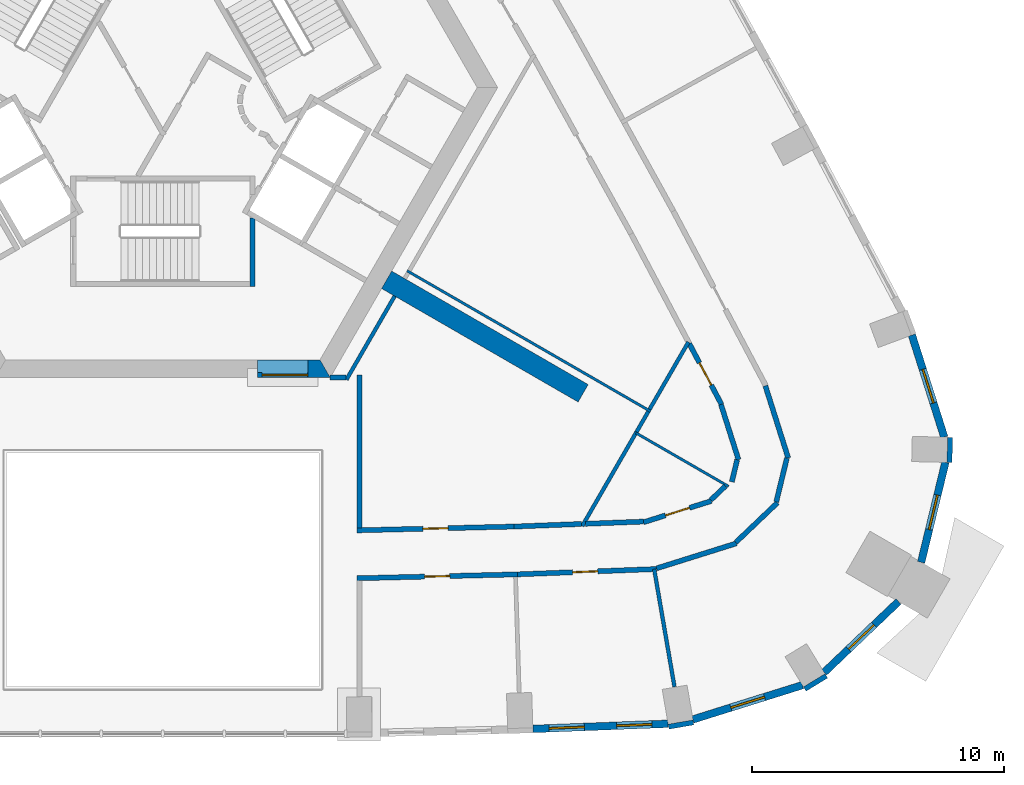
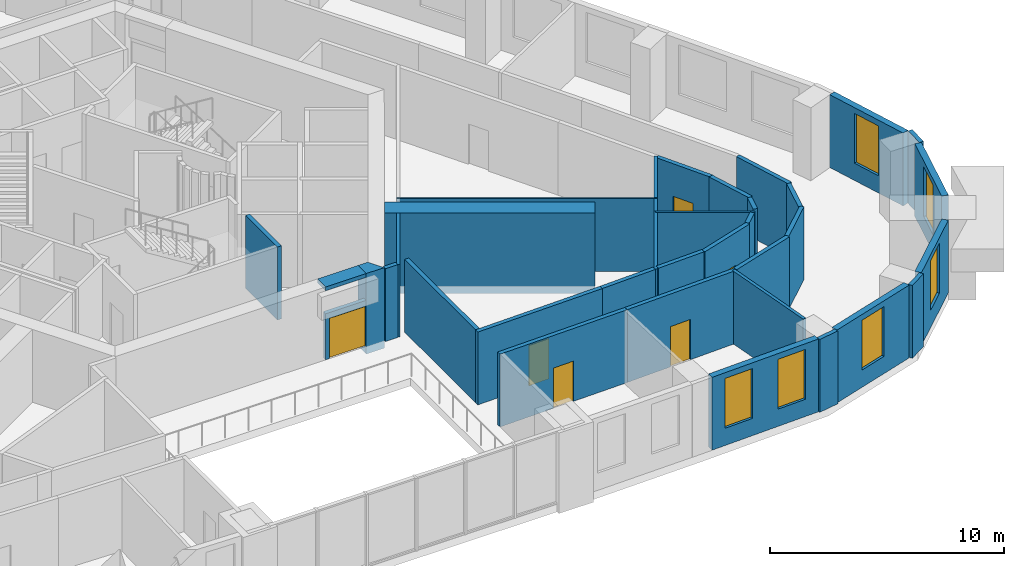
# One storey, part 6 of 13: 36 walls, 6 doors, 6 windows, 12 openings.
"""IFC4 building model written with IfcOpenShell, lengths in metres."""

from ifc_helpers import new_model, si_unit, direction, frame, frame_2d, origin, place, context, subcontext, project, spatial, polyline, rectangle, outline, extrude, material, layer, layer_set, type_object, element, fill, save


model = new_model("IFC4")

# Units and contexts
model_context = context("Model", 3, precision=1e-05, world=origin(), true_north=direction((0.0, 1.0)))
body_context = subcontext(model_context, "Body", "Model", "MODEL_VIEW")
ifc_project = project(units=[si_unit("LENGTHUNIT", "METRE"), si_unit("AREAUNIT", "SQUARE_METRE"), si_unit("VOLUMEUNIT", "CUBIC_METRE"), si_unit("PLANEANGLEUNIT", "RADIAN"), si_unit("MASSUNIT", "GRAM", prefix="KILO")], contexts=[model_context])

# Site, building, storey
site_placement = place(None, origin())
site = spatial("IfcSite", under=ifc_project, at=site_placement, CompositionType="ELEMENT")
building_placement = place(site_placement, origin())
building = spatial("IfcBuilding", under=site, at=building_placement, Name="Entoto Arch Interchange Tower", CompositionType="ELEMENT")
storey_placement = place(building_placement, frame((0.0, 0.0, 223.39990234375)))
storey = spatial("IfcBuildingStorey", under=building, at=storey_placement, Name="L50", CompositionType="ELEMENT", Elevation=223.39990234375)

# Wall
ifc_material_1 = material(Name="Concrete C50/60", Category="concrete")
ifc_layer_1 = layer(ifc_material_1, 0.800048828125)
ifc_layer_set_1 = layer_set([ifc_layer_1], Name="Concrete C50/60")
wall_type_1 = type_object("IfcWallType", Name="Buttress wall 800 C50/60", PredefinedType="SHEAR", material=ifc_layer_set_1)
wall_1_placement = place(storey_placement, frame((8.876953125, -5.125, -0.39990234375), z_axis=(0.0, 0.0, 1.0), x_axis=(0.866017533419, -0.500013631625, 0.0)))
element("IfcWall", 1, at=wall_1_placement, inside=storey, type_object=wall_type_1, Name="Buttress wall SE L50", PredefinedType="SHEAR", context=body_context, shape_type="SweptSolid", body=[
    extrude(rectangle(XDim=8.999755859375, YDim=0.800048828125, at=frame_2d((4.5, 0.0))), origin(), (0.0, 0.0, 1.0), 4.199951171875),
])

# Wall, opening, door
ifc_material_2 = material(Name="Reinforced concrete C40/50", Category="concrete")
ifc_layer_2 = layer(ifc_material_2, 0.199951171875)
ifc_layer_set_2 = layer_set([ifc_layer_2], Name="Reinforced concrete C40/50")
wall_type_2 = type_object("IfcWallType", Name="CORE GAP INFILL WALL", PredefinedType="PARTITIONING", material=ifc_layer_set_2)
wall_2_placement = place(storey_placement, frame((3.75, -8.89990234375, 0.0), z_axis=(0.0, 0.0, 1.0), x_axis=(1.0, 0.0, 0.0)))
wall_2 = element("IfcWall", 2, at=wall_2_placement, inside=storey, type_object=wall_type_2, Name="wall:L50:gap1", PredefinedType="PARTITIONING", context=body_context, shape_type="SweptSolid", body=[
    extrude(rectangle(XDim=2.0, YDim=0.199951171875, at=frame_2d((1.0, 0.0))), origin(), (0.0, 0.0, 1.0), 2.400146484375),
])
opening_1_placement = place(wall_2_placement, frame((0.18994140625, 0.0, 0.0)))
opening_1 = element("IfcOpeningElement", 3, at=opening_1_placement, cuts=wall_2, Name="Opening L50-D91", PredefinedType="OPENING", context=body_context, shape_type="SweptSolid", body=[
    extrude(rectangle(XDim=1.800048828125, YDim=2.10009765625, at=frame_2d((0.89990234375, 1.050048828125))), frame((0.0, 0.10986328125, 0.0), z_axis=(0.0, -1.0, 0.0), x_axis=(1.0, 0.0, 0.0)), (0.0, 0.0, 1.0), 0.219970703125),
])
ifc_material_3 = material(Name="Fire-rated Steel S235 door and frame", Category="steel")
door_type_1 = type_object("IfcDoorType", Name="DOOR FD-18 1800x2100", OperationType="DOUBLE_DOOR_SINGLE_SWING", PredefinedType="DOOR", material=ifc_material_3)
door_1_placement = place(opening_1_placement, origin())
door_1 = element("IfcDoor", 4, at=door_1_placement, inside=storey, type_object=door_type_1, Name="door:L50:gap1", OperationType="DOUBLE_DOOR_SINGLE_SWING", OverallHeight=2.10009765625, OverallWidth=1.800048828125, PredefinedType="DOOR", context=body_context, shape_type="SweptSolid", body=[
    extrude(rectangle(XDim=1.800048828125, YDim=2.10009765625, at=frame_2d((0.89990234375, 1.050048828125))), frame((0.0, 0.02490234375, 0.0), z_axis=(0.0, -1.0, 0.0), x_axis=(1.0, 0.0, 0.0)), (0.0, 0.0, 1.0), 0.050048828125),
])
fill(opening_1, door_1)

# Walls
ifc_layer_3 = layer(ifc_material_1, 0.699951171875)
ifc_layer_set_3 = layer_set([ifc_layer_3], Name="Concrete C50/60")
wall_type_3 = type_object("IfcWallType", Name="Core wall 700 C50/60", PredefinedType="SHEAR", material=ifc_layer_set_3)
wall_3_placement = place(storey_placement, frame((0.0, 0.0, -0.39990234375)))
element("IfcWall", 5, at=wall_3_placement, inside=storey, type_object=wall_type_3, Name="Core wall S L50", PredefinedType="SHEAR", context=body_context, shape_type="SweptSolid", body=[
    extrude(outline(polyline([(5.75, -8.300048828125), (5.75, -9.0), (6.639892578125, -9.0), (6.235107421875, -8.300048828125), (5.75, -8.300048828125)])), origin(), (0.0, 0.0, 1.0), 4.199951171875),
])
wall_4_placement = place(storey_placement, frame((0.0, 0.0, 3.60009765625)))
element("IfcWall", 6, at=wall_4_placement, inside=storey, type_object=wall_type_3, Name="Core wall lintel S L50", PredefinedType="SHEAR", context=body_context, shape_type="SweptSolid", body=[
    extrude(outline(polyline([(5.75, -9.0), (5.75, -8.300048828125), (3.75, -8.300048828125), (3.75, -9.0), (5.75, -9.0)])), origin(), (0.0, 0.0, 1.0), 0.199951171875),
])
ifc_material_4 = material(Name="Gypsum board partition on steel studs", Category="steel")
ifc_layer_4 = layer(ifc_material_4, 0.10009765625)
ifc_layer_set_4 = layer_set([ifc_layer_4], Name="Gypsum board partition on steel studs")
wall_type_4 = type_object("IfcWallType", Name="PARTITION 100", PredefinedType="PARTITIONING", material=ifc_layer_set_4)
wall_5_placement = place(storey_placement, frame((9.68896484375, -4.76806640625, 0.0), z_axis=(0.0, 0.0, 1.0), x_axis=(0.866023322577, -0.500003604739, 0.0)))
element("IfcWall", 7, at=wall_5_placement, inside=storey, type_object=wall_type_4, Name="wall:L50:p107", PredefinedType="PARTITIONING", context=body_context, shape_type="SweptSolid", body=[
    extrude(rectangle(XDim=11.14990234375, YDim=0.10009765625, at=frame_2d((5.574951171875, 0.0))), origin(), (0.0, 0.0, 1.0), 3.800048828125),
])
wall_6_placement = place(storey_placement, frame((18.764892578125, -11.198974609375, 0.0), z_axis=(0.0, 0.0, 1.0), x_axis=(0.866038964406, -0.499976511579, 0.0)))
element("IfcWall", 8, at=wall_6_placement, inside=storey, type_object=wall_type_4, Name="wall:L50:p111", PredefinedType="PARTITIONING", context=body_context, shape_type="SweptSolid", body=[
    extrude(rectangle(XDim=4.242431640625, YDim=0.10009765625, at=frame_2d((2.12109375, 0.0))), origin(), (0.0, 0.0, 1.0), 3.800048828125),
])
ifc_layer_5 = layer(ifc_material_4, 0.14990234375)
ifc_layer_set_5 = layer_set([ifc_layer_5], Name="Gypsum board partition on steel studs")
wall_type_5 = type_object("IfcWallType", Name="PARTITION 150", PredefinedType="PARTITIONING", material=ifc_layer_set_5)
wall_7_placement = place(storey_placement, frame((7.282958984375, -9.0859375, 0.0), z_axis=(0.0, 0.0, 1.0), x_axis=(0.500035303972, 0.866005020067, 0.0)))
element("IfcWall", 9, at=wall_7_placement, inside=storey, type_object=wall_type_5, Name="wall:L50:p087", PredefinedType="PARTITIONING", context=body_context, shape_type="SweptSolid", body=[
    extrude(rectangle(XDim=3.827880859375, YDim=0.14990234375, at=frame_2d((1.9140625, 0.0))), origin(), (0.0, 0.0, 1.0), 3.800048828125),
])
wall_8_placement = place(storey_placement, frame((18.7890625, -11.156005859375, 0.0), z_axis=(0.0, 0.0, 1.0), x_axis=(-0.499822078765, -0.866128102292, 0.0)))
element("IfcWall", 10, at=wall_8_placement, inside=storey, type_object=wall_type_5, Name="wall:L50:p108", PredefinedType="PARTITIONING", context=body_context, shape_type="SweptSolid", body=[
    extrude(rectangle(XDim=4.3134765625, YDim=0.14990234375, at=frame_2d((2.15673828125, 0.0))), origin(), (0.0, 0.0, 1.0), 3.800048828125),
])
wall_9_placement = place(storey_placement, frame((19.2548828125, -10.34912109375, 0.0), z_axis=(0.0, 0.0, 1.0), x_axis=(-0.499185199876, -0.866495318063, 0.0)))
element("IfcWall", 11, at=wall_9_placement, inside=storey, type_object=wall_type_5, Name="wall:L50:p109", PredefinedType="PARTITIONING", context=body_context, shape_type="SweptSolid", body=[
    extrude(rectangle(XDim=0.93115234375, YDim=0.14990234375, at=frame_2d((0.465576171875, 0.0))), origin(), (0.0, 0.0, 1.0), 3.800048828125),
])
wall_10_placement = place(storey_placement, frame((20.846923828125, -7.593017578125, 0.0), z_axis=(0.0, 0.0, 1.0), x_axis=(-0.500261762561, -0.865874222343, 0.0)))
element("IfcWall", 12, at=wall_10_placement, inside=storey, type_object=wall_type_5, Name="wall:L50:p110", PredefinedType="PARTITIONING", context=body_context, shape_type="SweptSolid", body=[
    extrude(rectangle(XDim=3.082275390625, YDim=0.14990234375, at=frame_2d((1.541015625, 0.0))), origin(), (0.0, 0.0, 1.0), 3.800048828125),
])
wall_11_placement = place(storey_placement, frame((19.488037109375, -16.59912109375, 0.0), z_axis=(0.0, 0.0, 1.0), x_axis=(0.169963884325, -0.985450292011, 0.0)))
element("IfcWall", 13, at=wall_11_placement, inside=storey, type_object=wall_type_5, Name="wall:L50:p118", PredefinedType="PARTITIONING", context=body_context, shape_type="SweptSolid", body=[
    extrude(rectangle(XDim=4.73583984375, YDim=0.14990234375, at=frame_2d((2.367919921875, 0.0))), origin(), (0.0, 0.0, 1.0), 3.800048828125),
])

# Wall, opening, door
ifc_layer_6 = layer(ifc_material_4, 0.199951171875)
ifc_layer_set_6 = layer_set([ifc_layer_6], Name="Gypsum board partition on steel studs")
wall_type_6 = type_object("IfcWallType", Name="PARTITION 200", PredefinedType="PARTITIONING", material=ifc_layer_set_6)
wall_12_placement = place(storey_placement, frame((7.699951171875, -15.06103515625, 0.0), z_axis=(0.0, 0.0, 1.0), x_axis=(0.999709615165, 0.024097413707, 0.0)))
wall_12 = element("IfcWall", 14, at=wall_12_placement, inside=storey, type_object=wall_type_6, Name="wall:L50:p014", PredefinedType="PARTITIONING", context=body_context, shape_type="SweptSolid", body=[
    extrude(rectangle(XDim=6.230712890625, YDim=0.199951171875, at=frame_2d((3.115234375, 0.0))), origin(), (0.0, 0.0, 1.0), 3.800048828125),
])
opening_2_placement = place(wall_12_placement, frame((2.614990234375, 0.0, 0.0)))
opening_2 = element("IfcOpeningElement", 15, at=opening_2_placement, cuts=wall_12, Name="Opening L50-D16", PredefinedType="OPENING", context=body_context, shape_type="SweptSolid", body=[
    extrude(rectangle(XDim=1.0, YDim=2.10009765625, at=frame_2d((0.5, 1.050048828125))), frame((0.0, 0.10986328125, 0.0), z_axis=(0.0, -1.0, 0.0), x_axis=(1.0, 0.0, 0.0)), (0.0, 0.0, 1.0), 0.219970703125),
])
ifc_material_5 = material(Name="Timber door leaf in Steel S235 frame", Category="steel")
door_type_2 = type_object("IfcDoorType", Name="DOOR DS-10 1000x2100", OperationType="SINGLE_SWING_LEFT", PredefinedType="DOOR", material=ifc_material_5)
door_2_placement = place(opening_2_placement, origin())
door_2 = element("IfcDoor", 16, at=door_2_placement, inside=storey, type_object=door_type_2, Name="door:L50:16", OperationType="SINGLE_SWING_LEFT", OverallHeight=2.10009765625, OverallWidth=1.0, PredefinedType="DOOR", context=body_context, shape_type="SweptSolid", body=[
    extrude(rectangle(XDim=1.0, YDim=2.10009765625, at=frame_2d((0.5, 1.050048828125))), frame((0.0, 0.02490234375, 0.0), z_axis=(0.0, -1.0, 0.0), x_axis=(1.0, 0.0, 0.0)), (0.0, 0.0, 1.0), 0.050048828125),
])
fill(opening_2, door_2)

# Walls
wall_13_placement = place(storey_placement, frame((13.928955078125, -14.910888671875, 0.0), z_axis=(0.0, 0.0, 1.0), x_axis=(0.99926480204, 0.038338693307, 0.0)))
element("IfcWall", 17, at=wall_13_placement, inside=storey, type_object=wall_type_6, Name="wall:L50:p015", PredefinedType="PARTITIONING", context=body_context, shape_type="SweptSolid", body=[
    extrude(rectangle(XDim=2.680908203125, YDim=0.199951171875, at=frame_2d((1.34033203125, 0.0))), origin(), (0.0, 0.0, 1.0), 3.800048828125),
])
wall_14_placement = place(storey_placement, frame((16.757080078125, -14.802001953125, 0.0), z_axis=(0.0, 0.0, 1.0), x_axis=(0.999273784151, 0.038103862122, 0.0)))
element("IfcWall", 18, at=wall_14_placement, inside=storey, type_object=wall_type_6, Name="wall:L50:p018", PredefinedType="PARTITIONING", context=body_context, shape_type="SweptSolid", body=[
    extrude(rectangle(XDim=2.306640625, YDim=0.199951171875, at=frame_2d((1.1533203125, 0.0))), origin(), (0.0, 0.0, 1.0), 3.800048828125),
])

# Wall, opening, door
wall_15_placement = place(storey_placement, frame((19.06591796875, -14.739990234375, 0.0), z_axis=(0.0, 0.0, 1.0), x_axis=(0.954238004552, 0.299048207935, 0.0)))
wall_15 = element("IfcWall", 19, at=wall_15_placement, inside=storey, type_object=wall_type_6, Name="wall:L50:p019", PredefinedType="PARTITIONING", context=body_context, shape_type="SweptSolid", body=[
    extrude(rectangle(XDim=2.822265625, YDim=0.199951171875, at=frame_2d((1.4111328125, 0.0))), origin(), (0.0, 0.0, 1.0), 3.800048828125),
])
opening_3_placement = place(wall_15_placement, frame((0.910888671875, 0.0, 0.0)))
opening_3 = element("IfcOpeningElement", 20, at=opening_3_placement, cuts=wall_15, Name="Opening L50-D18", PredefinedType="OPENING", context=body_context, shape_type="SweptSolid", body=[
    extrude(rectangle(XDim=1.0, YDim=2.10009765625, at=frame_2d((0.5, 1.050048828125))), frame((0.0, 0.10986328125, 0.0), z_axis=(0.0, -1.0, 0.0), x_axis=(1.0, 0.0, 0.0)), (0.0, 0.0, 1.0), 0.219970703125),
])
door_3_placement = place(opening_3_placement, origin())
door_3 = element("IfcDoor", 21, at=door_3_placement, inside=storey, type_object=door_type_2, Name="door:L50:18", OperationType="SINGLE_SWING_LEFT", OverallHeight=2.10009765625, OverallWidth=1.0, PredefinedType="DOOR", context=body_context, shape_type="SweptSolid", body=[
    extrude(rectangle(XDim=1.0, YDim=2.10009765625, at=frame_2d((0.5, 1.050048828125))), frame((0.0, 0.02490234375, 0.0), z_axis=(0.0, -1.0, 0.0), x_axis=(1.0, 0.0, 0.0)), (0.0, 0.0, 1.0), 0.050048828125),
])
fill(opening_3, door_3)

# Walls
wall_16_placement = place(storey_placement, frame((21.736083984375, -13.85693359375, 0.0), z_axis=(0.0, 0.0, 1.0), x_axis=(0.723666760573, 0.690149563241, 0.0)))
element("IfcWall", 22, at=wall_16_placement, inside=storey, type_object=wall_type_6, Name="wall:L50:p020", PredefinedType="PARTITIONING", context=body_context, shape_type="SweptSolid", body=[
    extrude(rectangle(XDim=0.80126953125, YDim=0.199951171875, at=frame_2d((0.400634765625, 0.0))), origin(), (0.0, 0.0, 1.0), 3.800048828125),
])
wall_17_placement = place(storey_placement, frame((22.56689453125, -13.138916015625, 0.0), z_axis=(0.0, 0.0, 1.0), x_axis=(0.2356388299, 0.971840697771, 0.0)))
element("IfcWall", 23, at=wall_17_placement, inside=storey, type_object=wall_type_6, Name="wall:L50:p021", PredefinedType="PARTITIONING", context=body_context, shape_type="SweptSolid", body=[
    extrude(rectangle(XDim=0.900390625, YDim=0.199951171875, at=frame_2d((0.4501953125, 0.0))), origin(), (0.0, 0.0, 1.0), 3.800048828125),
])
wall_18_placement = place(storey_placement, frame((22.8330078125, -12.261962890625, 0.0), z_axis=(0.0, 0.0, 1.0), x_axis=(-0.302262657712, 0.953224677478, 0.0)))
element("IfcWall", 24, at=wall_18_placement, inside=storey, type_object=wall_type_6, Name="wall:L50:p022", PredefinedType="PARTITIONING", context=body_context, shape_type="SweptSolid", body=[
    extrude(rectangle(XDim=2.302734375, YDim=0.199951171875, at=frame_2d((1.1513671875, 0.0))), origin(), (0.0, 0.0, 1.0), 3.800048828125),
])

# Wall, opening, door
wall_19_placement = place(storey_placement, frame((22.154052734375, -10.06005859375, 0.0), z_axis=(0.0, 0.0, 1.0), x_axis=(-0.468114756541, 0.883667683413, 0.0)))
wall_19 = element("IfcWall", 25, at=wall_19_placement, inside=storey, type_object=wall_type_6, Name="wall:L50:p023", PredefinedType="PARTITIONING", context=body_context, shape_type="SweptSolid", body=[
    extrude(rectangle(XDim=2.71728515625, YDim=0.199951171875, at=frame_2d((1.358642578125, 0.0))), origin(), (0.0, 0.0, 1.0), 3.800048828125),
])
opening_4_placement = place(wall_19_placement, frame((0.85888671875, 0.0, 0.0)))
opening_4 = element("IfcOpeningElement", 26, at=opening_4_placement, cuts=wall_19, Name="Opening L50-D19", PredefinedType="OPENING", context=body_context, shape_type="SweptSolid", body=[
    extrude(rectangle(XDim=1.0, YDim=2.10009765625, at=frame_2d((0.5, 1.050048828125))), frame((0.0, 0.10986328125, 0.0), z_axis=(0.0, -1.0, 0.0), x_axis=(1.0, 0.0, 0.0)), (0.0, 0.0, 1.0), 0.219970703125),
])
door_4_placement = place(opening_4_placement, origin())
door_4 = element("IfcDoor", 27, at=door_4_placement, inside=storey, type_object=door_type_2, Name="door:L50:19", OperationType="SINGLE_SWING_LEFT", OverallHeight=2.10009765625, OverallWidth=1.0, PredefinedType="DOOR", context=body_context, shape_type="SweptSolid", body=[
    extrude(rectangle(XDim=1.0, YDim=2.10009765625, at=frame_2d((0.5, 1.050048828125))), frame((0.0, 0.02490234375, 0.0), z_axis=(0.0, -1.0, 0.0), x_axis=(1.0, 0.0, 0.0)), (0.0, 0.0, 1.0), 0.050048828125),
])
fill(opening_4, door_4)

wall_20_placement = place(storey_placement, frame((14.06298828125, -16.80810546875, 0.0), z_axis=(0.0, 0.0, 1.0), x_axis=(-0.999707980382, -0.024165139379, 0.0)))
wall_20 = element("IfcWall", 28, at=wall_20_placement, inside=storey, type_object=wall_type_6, Name="wall:L50:p035", PredefinedType="PARTITIONING", context=body_context, shape_type="SweptSolid", body=[
    extrude(rectangle(XDim=6.364990234375, YDim=0.199951171875, at=frame_2d((3.1826171875, 0.0))), origin(), (0.0, 0.0, 1.0), 3.800048828125),
])
opening_5_placement = place(wall_20_placement, frame((2.68310546875, 0.0, 0.0)))
opening_5 = element("IfcOpeningElement", 29, at=opening_5_placement, cuts=wall_20, Name="Opening L50-D01", PredefinedType="OPENING", context=body_context, shape_type="SweptSolid", body=[
    extrude(rectangle(XDim=1.0, YDim=2.10009765625, at=frame_2d((0.5, 1.050048828125))), frame((0.0, 0.10986328125, 0.0), z_axis=(0.0, -1.0, 0.0), x_axis=(1.0, 0.0, 0.0)), (0.0, 0.0, 1.0), 0.219970703125),
])
door_5_placement = place(opening_5_placement, origin())
door_5 = element("IfcDoor", 30, at=door_5_placement, inside=storey, type_object=door_type_2, Name="door:L50:01", OperationType="SINGLE_SWING_LEFT", OverallHeight=2.10009765625, OverallWidth=1.0, PredefinedType="DOOR", context=body_context, shape_type="SweptSolid", body=[
    extrude(rectangle(XDim=1.0, YDim=2.10009765625, at=frame_2d((0.5, 1.050048828125))), frame((0.0, 0.02490234375, 0.0), z_axis=(0.0, -1.0, 0.0), x_axis=(1.0, 0.0, 0.0)), (0.0, 0.0, 1.0), 0.050048828125),
])
fill(opening_5, door_5)

wall_21_placement = place(storey_placement, frame((19.587890625, -16.594970703125, 0.0), z_axis=(0.0, 0.0, 1.0), x_axis=(-0.999265212989, -0.038327980772, 0.0)))
wall_21 = element("IfcWall", 31, at=wall_21_placement, inside=storey, type_object=wall_type_6, Name="wall:L50:p036", PredefinedType="PARTITIONING", context=body_context, shape_type="SweptSolid", body=[
    extrude(rectangle(XDim=5.529052734375, YDim=0.199951171875, at=frame_2d((2.7646484375, 0.0))), origin(), (0.0, 0.0, 1.0), 3.800048828125),
])
opening_6_placement = place(wall_21_placement, frame((2.339111328125, 0.0, 0.0)))
opening_6 = element("IfcOpeningElement", 32, at=opening_6_placement, cuts=wall_21, Name="Opening L50-D02", PredefinedType="OPENING", context=body_context, shape_type="SweptSolid", body=[
    extrude(rectangle(XDim=1.0, YDim=2.10009765625, at=frame_2d((0.5, 1.050048828125))), frame((0.0, 0.10986328125, 0.0), z_axis=(0.0, -1.0, 0.0), x_axis=(1.0, 0.0, 0.0)), (0.0, 0.0, 1.0), 0.219970703125),
])
door_6_placement = place(opening_6_placement, origin())
door_6 = element("IfcDoor", 33, at=door_6_placement, inside=storey, type_object=door_type_2, Name="door:L50:02", OperationType="SINGLE_SWING_LEFT", OverallHeight=2.10009765625, OverallWidth=1.0, PredefinedType="DOOR", context=body_context, shape_type="SweptSolid", body=[
    extrude(rectangle(XDim=1.0, YDim=2.10009765625, at=frame_2d((0.5, 1.050048828125))), frame((0.0, 0.02490234375, 0.0), z_axis=(0.0, -1.0, 0.0), x_axis=(1.0, 0.0, 0.0)), (0.0, 0.0, 1.0), 0.050048828125),
])
fill(opening_6, door_6)

# Walls
wall_22_placement = place(storey_placement, frame((23.89697265625, -9.330078125, 0.0), z_axis=(0.0, 0.0, 1.0), x_axis=(0.302200639646, -0.953244340868, 0.0)))
element("IfcWall", 34, at=wall_22_placement, inside=storey, type_object=wall_type_6, Name="wall:L50:p039", PredefinedType="PARTITIONING", context=body_context, shape_type="SweptSolid", body=[
    extrude(rectangle(XDim=3.00439453125, YDim=0.199951171875, at=frame_2d((1.502197265625, 0.0))), origin(), (0.0, 0.0, 1.0), 3.800048828125),
])
wall_23_placement = place(storey_placement, frame((24.7509765625, -12.196044921875, 0.0), z_axis=(0.0, 0.0, 1.0), x_axis=(-0.235756216468, -0.971812227952, 0.0)))
element("IfcWall", 35, at=wall_23_placement, inside=storey, type_object=wall_type_6, Name="wall:L50:p040", PredefinedType="PARTITIONING", context=body_context, shape_type="SweptSolid", body=[
    extrude(rectangle(XDim=1.78955078125, YDim=0.199951171875, at=frame_2d((0.894775390625, 0.0))), origin(), (0.0, 0.0, 1.0), 3.800048828125),
])
wall_24_placement = place(storey_placement, frame((24.3779296875, -13.964111328125, 0.0), z_axis=(0.0, 0.0, 1.0), x_axis=(-0.723967420116, -0.689834164571, 0.0)))
element("IfcWall", 36, at=wall_24_placement, inside=storey, type_object=wall_type_6, Name="wall:L50:p041", PredefinedType="PARTITIONING", context=body_context, shape_type="SweptSolid", body=[
    extrude(rectangle(XDim=2.28173828125, YDim=0.199951171875, at=frame_2d((1.140869140625, 0.0))), origin(), (0.0, 0.0, 1.0), 3.800048828125),
])
wall_25_placement = place(storey_placement, frame((22.7490234375, -15.576904296875, 0.0), z_axis=(0.0, 0.0, 1.0), x_axis=(-0.954238750745, -0.299045826884, 0.0)))
element("IfcWall", 37, at=wall_25_placement, inside=storey, type_object=wall_type_6, Name="wall:L50:p042", PredefinedType="PARTITIONING", context=body_context, shape_type="SweptSolid", body=[
    extrude(rectangle(XDim=3.31787109375, YDim=0.199951171875, at=frame_2d((1.658935546875, 0.0))), origin(), (0.0, 0.0, 1.0), 3.800048828125),
])
wall_26_placement = place(storey_placement, frame((6.64111328125, -8.9990234375, 0.0), z_axis=(0.0, 0.0, 1.0), x_axis=(1.0, 0.0, 0.0)))
element("IfcWall", 38, at=wall_26_placement, inside=storey, type_object=wall_type_6, Name="wall:L50:p086", PredefinedType="PARTITIONING", context=body_context, shape_type="SweptSolid", body=[
    extrude(rectangle(XDim=0.616943359375, YDim=0.199951171875, at=frame_2d((0.30859375, 0.0))), origin(), (0.0, 0.0, 1.0), 3.800048828125),
])
wall_27_placement = place(storey_placement, frame((7.800048828125, -8.89892578125, 0.0), z_axis=(0.0, 0.0, 1.0), x_axis=(0.0, -1.0, 0.0)))
element("IfcWall", 39, at=wall_27_placement, inside=storey, type_object=wall_type_6, Name="wall:L50:p101", PredefinedType="PARTITIONING", context=body_context, shape_type="SweptSolid", body=[
    extrude(rectangle(XDim=6.06005859375, YDim=0.199951171875, at=frame_2d((3.030029296875, 0.0))), origin(), (0.0, 0.0, 1.0), 3.800048828125),
])
ifc_material_6 = material(Name="Concrete C40/50", Category="concrete")
ifc_layer_7 = layer(ifc_material_6, 0.199951171875)
ifc_layer_set_7 = layer_set([ifc_layer_7], Name="Concrete C40/50")
wall_type_7 = type_object("IfcWallType", Name="STAIR ENCLOSURE WALL 200", PredefinedType="STANDARD", material=ifc_layer_set_7)
wall_28_placement = place(storey_placement, frame((3.550048828125, -2.6669921875, 0.0), z_axis=(0.0, 0.0, 1.0), x_axis=(0.0, -1.0, 0.0)))
element("IfcWall", 40, at=wall_28_placement, inside=storey, type_object=wall_type_7, Name="Stair wall ST-S far", PredefinedType="STANDARD", context=body_context, shape_type="SweptSolid", body=[
    extrude(rectangle(XDim=2.73291015625, YDim=0.199951171875, at=frame_2d((1.366455078125, 0.0))), origin(), (0.0, 0.0, 1.0), 3.800048828125),
])

# Wall, openings, windows
ifc_material_7 = material(Name="Welded tuff (ignimbrite) cladding, warm buff", Category="masonry")
ifc_layer_8 = layer(ifc_material_7, 0.300048828125)
ifc_layer_set_8 = layer_set([ifc_layer_8], Name="Welded tuff (ignimbrite) cladding, warm buff")
wall_type_8 = type_object("IfcWallType", Name="STONE INFILL WALL 300", PredefinedType="STANDARD", material=ifc_layer_set_8)
wall_29_placement = place(storey_placement, frame((14.678955078125, -22.93798828125, 0.0), z_axis=(0.0, 0.0, 1.0), x_axis=(0.99926218254, 0.038406907512, 0.0)))
wall_29 = element("IfcWall", 41, at=wall_29_placement, inside=storey, type_object=wall_type_8, Name="Facade wall S-05 L50", PredefinedType="STANDARD", context=body_context, shape_type="SweptSolid", body=[
    extrude(rectangle(XDim=5.364990234375, YDim=0.300048828125, at=frame_2d((2.6826171875, 0.0))), origin(), (0.0, 0.0, 1.0), 3.800048828125),
])
opening_7_placement = place(wall_29_placement, frame((0.64111328125, 0.0, 0.89990234375)))
opening_7 = element("IfcOpeningElement", 42, at=opening_7_placement, cuts=wall_29, Name="Opening WO-B", PredefinedType="OPENING", context=body_context, shape_type="SweptSolid", body=[
    extrude(rectangle(XDim=1.39990234375, YDim=2.60009765625, at=frame_2d((0.699951171875, 1.300048828125))), frame((0.0, 0.16015625, 0.0), z_axis=(0.0, -1.0, 0.0), x_axis=(1.0, 0.0, 0.0)), (0.0, 0.0, 1.0), 0.320068359375),
])
opening_8_placement = place(wall_29_placement, frame((3.323974609375, 0.0, 0.89990234375)))
opening_8 = element("IfcOpeningElement", 43, at=opening_8_placement, cuts=wall_29, Name="Opening WO-B", PredefinedType="OPENING", context=body_context, shape_type="SweptSolid", body=[
    extrude(rectangle(XDim=1.39990234375, YDim=2.60009765625, at=frame_2d((0.699951171875, 1.300048828125))), frame((0.0, 0.16015625, 0.0), z_axis=(0.0, -1.0, 0.0), x_axis=(1.0, 0.0, 0.0)), (0.0, 0.0, 1.0), 0.320068359375),
])
ifc_material_8 = material(Name="Clear glass, low-e double glazed", Category="glass")
window_type = type_object("IfcWindowType", Name="WINDOW WO-B 1400x2600", PartitioningType="DOUBLE_PANEL_VERTICAL", PredefinedType="WINDOW", material=ifc_material_8)
window_1_placement = place(opening_7_placement, origin())
window_1 = element("IfcWindow", 44, at=window_1_placement, inside=storey, type_object=window_type, Name="Window WO-B S-05 L50", OverallHeight=2.60009765625, OverallWidth=1.39990234375, PartitioningType="SINGLE_PANEL", PredefinedType="WINDOW", context=body_context, shape_type="SweptSolid", body=[
    extrude(rectangle(XDim=1.39990234375, YDim=2.60009765625, at=frame_2d((0.699951171875, 1.300048828125))), frame((0.0, 0.030029296875, 0.0), z_axis=(0.0, -1.0, 0.0), x_axis=(1.0, 0.0, 0.0)), (0.0, 0.0, 1.0), 0.06005859375),
])
fill(opening_7, window_1)
window_2_placement = place(opening_8_placement, origin())
window_2 = element("IfcWindow", 45, at=window_2_placement, inside=storey, type_object=window_type, Name="Window WO-B S-05 L50", OverallHeight=2.60009765625, OverallWidth=1.39990234375, PartitioningType="SINGLE_PANEL", PredefinedType="WINDOW", context=body_context, shape_type="SweptSolid", body=[
    extrude(rectangle(XDim=1.39990234375, YDim=2.60009765625, at=frame_2d((0.699951171875, 1.300048828125))), frame((0.0, 0.030029296875, 0.0), z_axis=(0.0, -1.0, 0.0), x_axis=(1.0, 0.0, 0.0)), (0.0, 0.0, 1.0), 0.06005859375),
])
fill(opening_8, window_2)

# Wall, opening, window
wall_30_placement = place(storey_placement, frame((21.02392578125, -22.56201171875, 0.0), z_axis=(0.0, 0.0, 1.0), x_axis=(0.954297481837, 0.298858354675, 0.0)))
wall_30 = element("IfcWall", 46, at=wall_30_placement, inside=storey, type_object=wall_type_8, Name="Facade wall SE-01 L50", PredefinedType="STANDARD", context=body_context, shape_type="SweptSolid", body=[
    extrude(rectangle(XDim=4.551025390625, YDim=0.300048828125, at=frame_2d((2.275390625, 0.0))), origin(), (0.0, 0.0, 1.0), 3.800048828125),
])
opening_9_placement = place(wall_30_placement, frame((1.574951171875, 0.0, 0.89990234375)))
opening_9 = element("IfcOpeningElement", 47, at=opening_9_placement, cuts=wall_30, Name="Opening WO-B", PredefinedType="OPENING", context=body_context, shape_type="SweptSolid", body=[
    extrude(rectangle(XDim=1.39990234375, YDim=2.60009765625, at=frame_2d((0.699951171875, 1.300048828125))), frame((0.0, 0.16015625, 0.0), z_axis=(0.0, -1.0, 0.0), x_axis=(1.0, 0.0, 0.0)), (0.0, 0.0, 1.0), 0.320068359375),
])
window_3_placement = place(opening_9_placement, origin())
window_3 = element("IfcWindow", 48, at=window_3_placement, inside=storey, type_object=window_type, Name="Window WO-B SE-01 L50", OverallHeight=2.60009765625, OverallWidth=1.39990234375, PartitioningType="SINGLE_PANEL", PredefinedType="WINDOW", context=body_context, shape_type="SweptSolid", body=[
    extrude(rectangle(XDim=1.39990234375, YDim=2.60009765625, at=frame_2d((0.699951171875, 1.300048828125))), frame((0.0, 0.030029296875, 0.0), z_axis=(0.0, -1.0, 0.0), x_axis=(1.0, 0.0, 0.0)), (0.0, 0.0, 1.0), 0.06005859375),
])
fill(opening_9, window_3)

wall_31_placement = place(storey_placement, frame((26.22802734375, -20.697021484375, 0.0), z_axis=(0.0, 0.0, 1.0), x_axis=(0.723707630873, 0.69010670553, 0.0)))
wall_31 = element("IfcWall", 49, at=wall_31_placement, inside=storey, type_object=wall_type_8, Name="Facade wall SE-02 L50", PredefinedType="STANDARD", context=body_context, shape_type="SweptSolid", body=[
    extrude(rectangle(XDim=4.076171875, YDim=0.300048828125, at=frame_2d((2.0380859375, 0.0))), origin(), (0.0, 0.0, 1.0), 3.800048828125),
])
opening_10_placement = place(wall_31_placement, frame((1.337890625, 0.0, 0.89990234375)))
opening_10 = element("IfcOpeningElement", 50, at=opening_10_placement, cuts=wall_31, Name="Opening WO-B", PredefinedType="OPENING", context=body_context, shape_type="SweptSolid", body=[
    extrude(rectangle(XDim=1.39990234375, YDim=2.60009765625, at=frame_2d((0.699951171875, 1.300048828125))), frame((0.0, 0.16015625, 0.0), z_axis=(0.0, -1.0, 0.0), x_axis=(1.0, 0.0, 0.0)), (0.0, 0.0, 1.0), 0.320068359375),
])
window_4_placement = place(opening_10_placement, origin())
window_4 = element("IfcWindow", 51, at=window_4_placement, inside=storey, type_object=window_type, Name="Window WO-B SE-02 L50", OverallHeight=2.60009765625, OverallWidth=1.39990234375, PartitioningType="SINGLE_PANEL", PredefinedType="WINDOW", context=body_context, shape_type="SweptSolid", body=[
    extrude(rectangle(XDim=1.39990234375, YDim=2.60009765625, at=frame_2d((0.699951171875, 1.300048828125))), frame((0.0, 0.030029296875, 0.0), z_axis=(0.0, -1.0, 0.0), x_axis=(1.0, 0.0, 0.0)), (0.0, 0.0, 1.0), 0.06005859375),
])
fill(opening_10, window_4)

wall_32_placement = place(storey_placement, frame((30.076904296875, -16.326904296875, 0.0), z_axis=(0.0, 0.0, 1.0), x_axis=(0.235766276378, 0.971809787419, 0.0)))
wall_32 = element("IfcWall", 52, at=wall_32_placement, inside=storey, type_object=wall_type_8, Name="Facade wall SE-03 L50", PredefinedType="STANDARD", context=body_context, shape_type="SweptSolid", body=[
    extrude(rectangle(XDim=4.076904296875, YDim=0.300048828125, at=frame_2d((2.03857421875, 0.0))), origin(), (0.0, 0.0, 1.0), 3.800048828125),
])
opening_11_placement = place(wall_32_placement, frame((1.337890625, 0.0, 0.89990234375)))
opening_11 = element("IfcOpeningElement", 53, at=opening_11_placement, cuts=wall_32, Name="Opening WO-B", PredefinedType="OPENING", context=body_context, shape_type="SweptSolid", body=[
    extrude(rectangle(XDim=1.39990234375, YDim=2.60009765625, at=frame_2d((0.699951171875, 1.300048828125))), frame((0.0, 0.16015625, 0.0), z_axis=(0.0, -1.0, 0.0), x_axis=(1.0, 0.0, 0.0)), (0.0, 0.0, 1.0), 0.320068359375),
])
window_5_placement = place(opening_11_placement, origin())
window_5 = element("IfcWindow", 54, at=window_5_placement, inside=storey, type_object=window_type, Name="Window WO-B SE-03 L50", OverallHeight=2.60009765625, OverallWidth=1.39990234375, PartitioningType="SINGLE_PANEL", PredefinedType="WINDOW", context=body_context, shape_type="SweptSolid", body=[
    extrude(rectangle(XDim=1.39990234375, YDim=2.60009765625, at=frame_2d((0.699951171875, 1.300048828125))), frame((0.0, 0.030029296875, 0.0), z_axis=(0.0, -1.0, 0.0), x_axis=(1.0, 0.0, 0.0)), (0.0, 0.0, 1.0), 0.06005859375),
])
fill(opening_11, window_5)

wall_33_placement = place(storey_placement, frame((30.993896484375, -11.365966796875, 0.0), z_axis=(0.0, 0.0, 1.0), x_axis=(-0.302195467572, 0.953245980521, 0.0)))
wall_33 = element("IfcWall", 55, at=wall_33_placement, inside=storey, type_object=wall_type_8, Name="Facade wall SE-04 L50", PredefinedType="STANDARD", context=body_context, shape_type="SweptSolid", body=[
    extrude(rectangle(XDim=4.248779296875, YDim=0.300048828125, at=frame_2d((2.12451171875, 0.0))), origin(), (0.0, 0.0, 1.0), 3.800048828125),
])
opening_12_placement = place(wall_33_placement, frame((1.424072265625, 0.0, 0.89990234375)))
opening_12 = element("IfcOpeningElement", 56, at=opening_12_placement, cuts=wall_33, Name="Opening WO-B", PredefinedType="OPENING", context=body_context, shape_type="SweptSolid", body=[
    extrude(rectangle(XDim=1.39990234375, YDim=2.60009765625, at=frame_2d((0.699951171875, 1.300048828125))), frame((0.0, 0.16015625, 0.0), z_axis=(0.0, -1.0, 0.0), x_axis=(1.0, 0.0, 0.0)), (0.0, 0.0, 1.0), 0.320068359375),
])
window_6_placement = place(opening_12_placement, origin())
window_6 = element("IfcWindow", 57, at=window_6_placement, inside=storey, type_object=window_type, Name="Window WO-B SE-04 L50", OverallHeight=2.60009765625, OverallWidth=1.39990234375, PartitioningType="SINGLE_PANEL", PredefinedType="WINDOW", context=body_context, shape_type="SweptSolid", body=[
    extrude(rectangle(XDim=1.39990234375, YDim=2.60009765625, at=frame_2d((0.699951171875, 1.300048828125))), frame((0.0, 0.030029296875, 0.0), z_axis=(0.0, -1.0, 0.0), x_axis=(1.0, 0.0, 0.0)), (0.0, 0.0, 1.0), 0.06005859375),
])
fill(opening_12, window_6)

# Walls
ifc_layer_9 = layer(ifc_material_7, 0.199951171875)
ifc_layer_set_9 = layer_set([ifc_layer_9], Name="Welded tuff (ignimbrite) cladding, warm buff")
wall_type_9 = type_object("IfcWallType", Name="STONE PIER CLADDING 200", PredefinedType="STANDARD", material=ifc_layer_set_9)
wall_34_placement = place(storey_placement, frame((20.05908203125, -22.847900390625, 0.0), z_axis=(0.0, 0.0, 1.0), x_axis=(0.985631544579, 0.168909615862, 0.0)))
element("IfcWall", 58, at=wall_34_placement, inside=storey, type_object=wall_type_9, Name="Stone pier S06 L50", PredefinedType="STANDARD", context=body_context, shape_type="SweptSolid", body=[
    extrude(rectangle(XDim=1.000244140625, YDim=0.199951171875, at=frame_2d((0.5, 0.0))), origin(), (0.0, 0.0, 1.0), 3.800048828125),
])
wall_35_placement = place(storey_placement, frame((25.458984375, -21.35498046875, 0.0), z_axis=(0.0, 0.0, 1.0), x_axis=(0.853679739553, 0.520798331677, 0.0)))
element("IfcWall", 59, at=wall_35_placement, inside=storey, type_object=wall_type_9, Name="Stone pier SE1 L50", PredefinedType="STANDARD", context=body_context, shape_type="SweptSolid", body=[
    extrude(rectangle(XDim=1.00048828125, YDim=0.199951171875, at=frame_2d((0.500244140625, 0.0))), origin(), (0.0, 0.0, 1.0), 3.800048828125),
])
wall_36_placement = place(storey_placement, frame((31.199951171875, -12.3701171875, 0.0), z_axis=(0.0, 0.0, 1.0), x_axis=(0.024186470916, 0.999707464524, 0.0)))
element("IfcWall", 60, at=wall_36_placement, inside=storey, type_object=wall_type_9, Name="Stone pier SE3 L50", PredefinedType="STANDARD", context=body_context, shape_type="SweptSolid", body=[
    extrude(rectangle(XDim=0.999267578125, YDim=0.199951171875, at=frame_2d((0.49951171875, 0.0))), origin(), (0.0, 0.0, 1.0), 3.800048828125),
])

save(model, "model.ifc")
